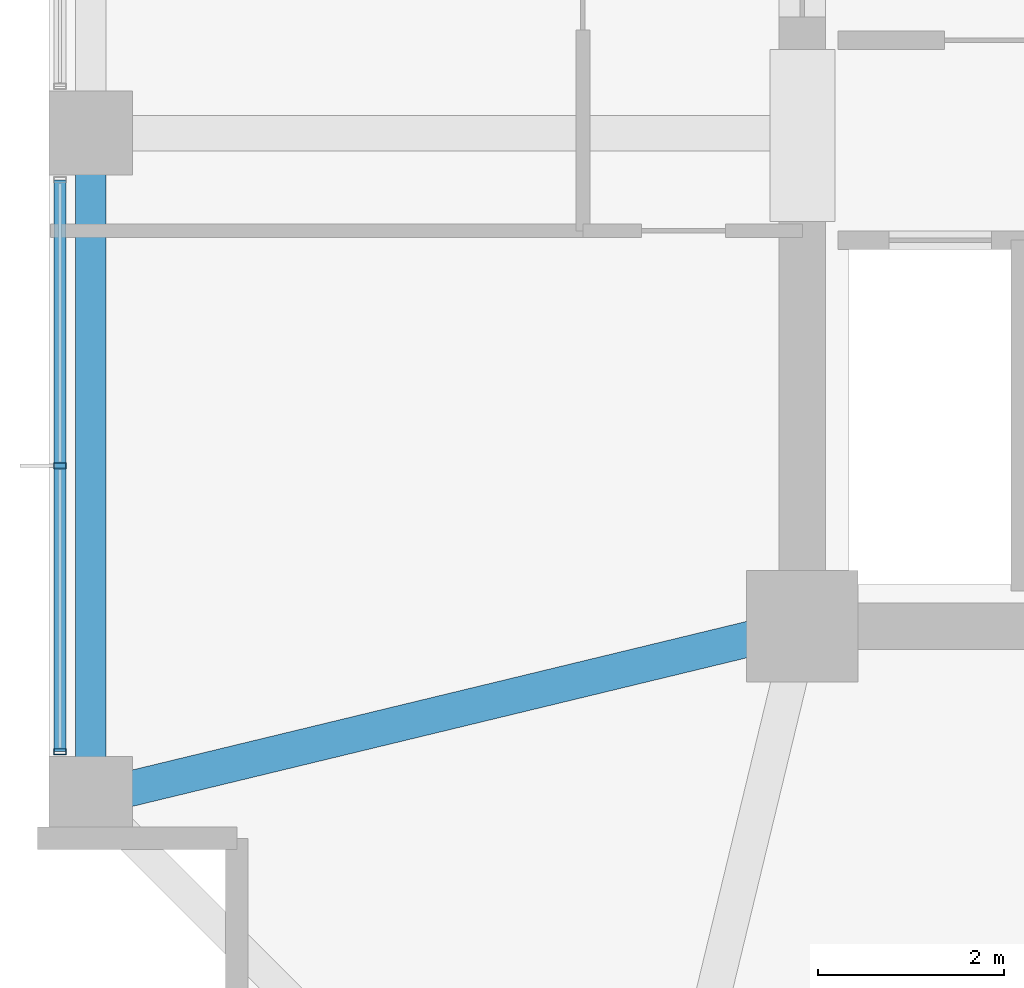
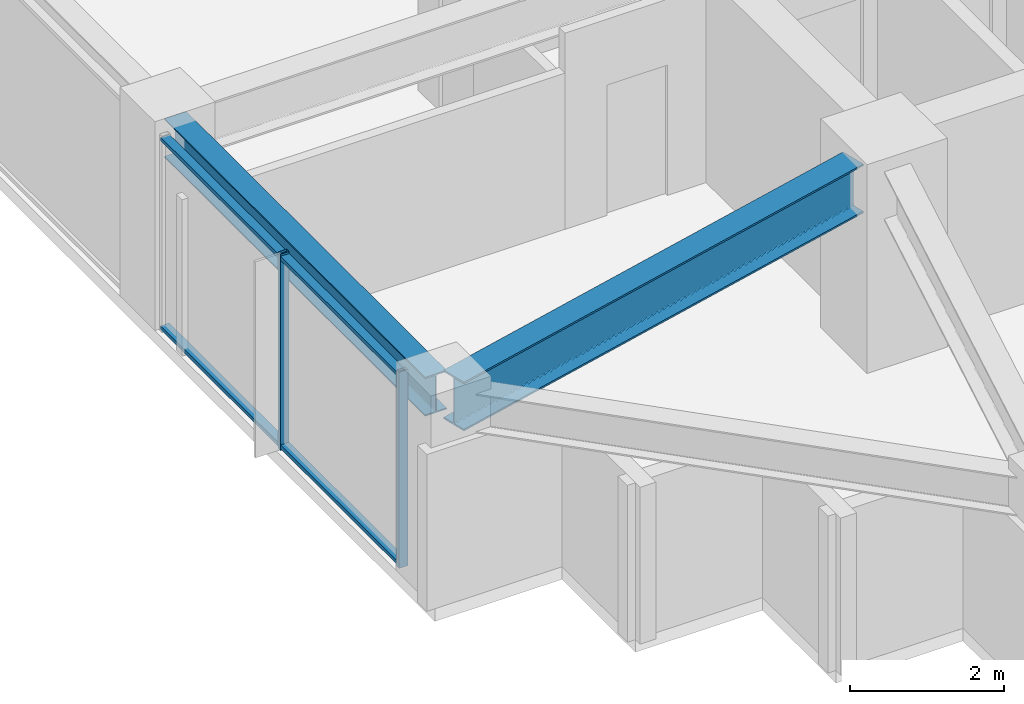
# One storey, part 5 of 31: 4 members, 2 beams, 1 element without a shape of its own.
"""IFC4 building model written with IfcOpenShell, lengths in metres."""

from ifc_helpers import new_model, si_unit, direction, frame, origin, origin_2d, place, context, subcontext, project, spatial, hollow_rectangle, i_section, extrude, material, material_profile, profile_set, type_object, element, aggregate, save


model = new_model("IFC4")

# Units and contexts
model_context = context("Model", 3, precision=1e-05, world=origin(), true_north=direction((0.0, 1.0)))
body_context = subcontext(model_context, "Body", "Model", "MODEL_VIEW")
ifc_project = project(units=[si_unit("LENGTHUNIT", "METRE"), si_unit("AREAUNIT", "SQUARE_METRE"), si_unit("VOLUMEUNIT", "CUBIC_METRE"), si_unit("PLANEANGLEUNIT", "RADIAN"), si_unit("MASSUNIT", "GRAM", prefix="KILO")], contexts=[model_context])

# Site, building, storey
site_placement = place(None, origin())
site = spatial("IfcSite", under=ifc_project, at=site_placement, CompositionType="ELEMENT")
building_placement = place(site_placement, origin())
building = spatial("IfcBuilding", under=site, at=building_placement, Name="Kolvaren Belvedere", CompositionType="ELEMENT")
storey_placement = place(building_placement, frame((0.0, 0.0, 134.89990234375)))
storey = spatial("IfcBuildingStorey", under=building, at=storey_placement, Name="L39", CompositionType="ELEMENT", Elevation=134.89990234375)

# Beams
ifc_material_1 = material(Name="Structural steel ASTM A992 Grade 50", Category="steel")
ifc_material_profile_1 = material_profile(ifc_material_1, i_section(OverallWidth=0.381103515625, OverallDepth=0.77294921875, WebThickness=0.0166015625, FlangeThickness=0.027099609375, FilletRadius=0.02392578125, at=origin_2d()), Name="W30X173")
ifc_profile_set_1 = profile_set([ifc_material_profile_1], Name="Structural steel ASTM A992 Grade 50")
beam_type_1 = type_object("IfcBeamType", Name="BM-GIRD-W30X173", PredefinedType="BEAM", material=ifc_profile_set_1)
beam_1_placement = place(storey_placement, frame((-10.4345703125, -10.029296875, 2.713623046875), z_axis=(-0.971980197119, -0.235062749937, 0.0), x_axis=(0.235062749937, -0.971980197119, 0.0)))
element("IfcBeam", 1, at=beam_1_placement, inside=storey, type_object=beam_type_1, Name="L39 Corner Core-to-Perimeter Girder CC1-W1", PredefinedType="BEAM", context=body_context, shape_type="SweptSolid", body=[
    extrude(i_section(OverallWidth=0.381103515625, OverallDepth=0.77294921875, WebThickness=0.0166015625, FlangeThickness=0.027099609375, FilletRadius=0.02392578125, at=origin_2d()), origin(), (0.0, 0.0, 1.0), 7.140625),
])
ifc_material_2 = material(Name="Structural steel ASTM A992 Grade 50", Category="steel")
ifc_material_profile_2 = material_profile(ifc_material_2, i_section(OverallWidth=0.324951171875, OverallDepth=0.615966796875, WebThickness=0.013916015625, FlangeThickness=0.021484375, FilletRadius=0.02001953125, at=origin_2d()), Name="W24X117")
ifc_profile_set_2 = profile_set([ifc_material_profile_2], Name="Structural steel ASTM A992 Grade 50")
beam_type_2 = type_object("IfcBeamType", Name="BM-SPAN-W24X117", PredefinedType="SPANDREL", material=ifc_profile_set_2)
beam_2_placement = place(storey_placement, frame((-17.550048828125, -4.802490234375, 2.7919921875), z_axis=(0.0, -1.0, 0.0), x_axis=(1.0, 0.0, 0.0)))
element("IfcBeam", 2, at=beam_2_placement, inside=storey, type_object=beam_type_2, Name="L39 Perimeter Spandrel W2-W1", PredefinedType="SPANDREL", context=body_context, shape_type="SweptSolid", body=[
    extrude(i_section(OverallWidth=0.324951171875, OverallDepth=0.615966796875, WebThickness=0.013916015625, FlangeThickness=0.021484375, FilletRadius=0.02001953125, at=origin_2d()), origin(), (0.0, 0.0, 1.0), 6.7451171875),
])

# Curtain wall, members
ifc_material_3 = material(Name="Anodised pale-metal aluminium AA 6063-T6", Category="aluminium")
curtain_wall_type = type_object("IfcCurtainWallType", Name="CW-Z3-WAIST", PredefinedType="NOTDEFINED", material=ifc_material_3)
curtain_wall_placement = place(storey_placement, origin())
curtain_wall = element("IfcCurtainWall", 3, at=curtain_wall_placement, inside=storey, type_object=curtain_wall_type, Name="L39 Unitised Curtain Wall FCW-L39-W-B1", PredefinedType="NOTDEFINED")
ifc_material_4 = material(Name="Anodised pale-metal aluminium AA 6063-T6", Category="aluminium")
ifc_material_profile_3 = material_profile(ifc_material_4, hollow_rectangle(XDim=0.06494140625, YDim=0.1298828125, WallThickness=0.00390625, at=origin_2d()), Name="ALU-MUL-130X65")
ifc_profile_set_3 = profile_set([ifc_material_profile_3], Name="Anodised pale-metal aluminium AA 6063-T6")
member_type_1 = type_object("IfcMemberType", Name="CW-MUL-130", PredefinedType="MULLION", material=ifc_profile_set_3)
member_1_placement = place(storey_placement, frame((-17.8798828125, -11.24755859375, 0.0), z_axis=(0.0, 0.0, 1.0), x_axis=(0.0, 1.0, 0.0)))
member_1 = element("IfcMember", 4, at=member_1_placement, type_object=member_type_1, Name="FCW-L39-W-B1 Unitised Mullion 1", PredefinedType="MULLION", context=body_context, shape_type="SweptSolid", body=[
    extrude(hollow_rectangle(XDim=0.06494140625, YDim=0.1298828125, WallThickness=0.00390625, at=origin_2d()), origin(), (0.0, 0.0, 1.0), 3.10009765625),
])
member_2_placement = place(storey_placement, frame((-17.8798828125, -8.175048828125, 0.0), z_axis=(0.0, 0.0, 1.0), x_axis=(0.0, 1.0, 0.0)))
member_2 = element("IfcMember", 5, at=member_2_placement, type_object=member_type_1, Name="FCW-L39-W-B1 Unitised Mullion 2", PredefinedType="MULLION", context=body_context, shape_type="SweptSolid", body=[
    extrude(hollow_rectangle(XDim=0.06494140625, YDim=0.1298828125, WallThickness=0.00390625, at=origin_2d()), origin(), (0.0, 0.0, 1.0), 3.10009765625),
])
ifc_material_5 = material(Name="Anodised pale-metal aluminium AA 6063-T6", Category="aluminium")
ifc_material_profile_4 = material_profile(ifc_material_5, hollow_rectangle(XDim=0.06005859375, YDim=0.1298828125, WallThickness=0.00390625, at=origin_2d()), Name="ALU-TRN-130X60")
ifc_profile_set_4 = profile_set([ifc_material_profile_4], Name="Anodised pale-metal aluminium AA 6063-T6")
member_type_2 = type_object("IfcMemberType", Name="CW-TRN-130", PredefinedType="USERDEFINED", material=ifc_profile_set_4)
member_3_placement = place(storey_placement, frame((-17.8798828125, -11.24755859375, 0.06005859375), z_axis=(0.0, 1.0, 0.0), x_axis=(0.0, 0.0, 1.0)))
member_3 = element("IfcMember", 6, at=member_3_placement, type_object=member_type_2, Name="FCW-L39-W-B1 Sill Transom", ObjectType="TRANSOM", PredefinedType="USERDEFINED", context=body_context, shape_type="SweptSolid", body=[
    extrude(hollow_rectangle(XDim=0.06005859375, YDim=0.1298828125, WallThickness=0.00390625, at=origin_2d()), origin(), (0.0, 0.0, 1.0), 6.14501953125),
])
member_4_placement = place(storey_placement, frame((-17.8798828125, -11.24755859375, 3.0400390625), z_axis=(0.0, 1.0, 0.0), x_axis=(0.0, 0.0, 1.0)))
member_4 = element("IfcMember", 7, at=member_4_placement, type_object=member_type_2, Name="FCW-L39-W-B1 Head Transom", ObjectType="TRANSOM", PredefinedType="USERDEFINED", context=body_context, shape_type="SweptSolid", body=[
    extrude(hollow_rectangle(XDim=0.06005859375, YDim=0.1298828125, WallThickness=0.00390625, at=origin_2d()), origin(), (0.0, 0.0, 1.0), 6.14501953125),
])
aggregate(curtain_wall, [member_1, member_2, member_3, member_4])

save(model, "model.ifc")
